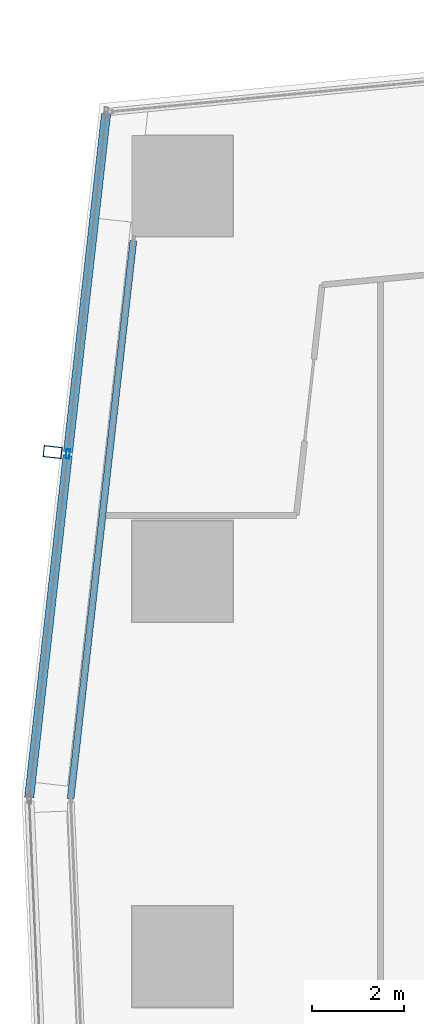
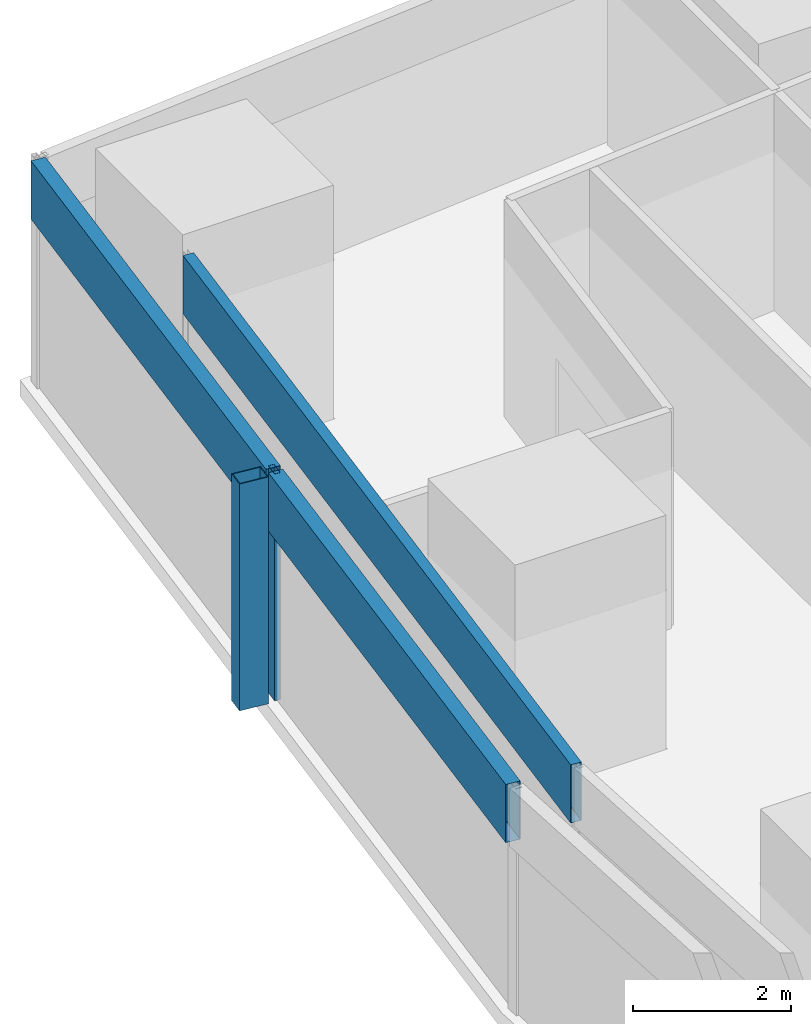
# One storey, part 15 of 45: 5 members, 2 elements without a shape of their own.
"""IFC4 building model written with IfcOpenShell, lengths in metres."""

from ifc_helpers import new_model, si_unit, direction, frame, origin, origin_2d, place, context, subcontext, project, spatial, hollow_rectangle, extrude, material, material_profile, profile_set, type_object, element, aggregate, save


model = new_model("IFC4")

# Units and contexts
model_context = context("Model", 3, precision=1e-05, world=origin(), true_north=direction((0.0, 1.0)))
body_context = subcontext(model_context, "Body", "Model", "MODEL_VIEW")
ifc_project = project(units=[si_unit("LENGTHUNIT", "METRE"), si_unit("AREAUNIT", "SQUARE_METRE"), si_unit("VOLUMEUNIT", "CUBIC_METRE"), si_unit("PLANEANGLEUNIT", "RADIAN"), si_unit("MASSUNIT", "GRAM", prefix="KILO")], contexts=[model_context])

# Site, building, storey
site_placement = place(None, origin())
site = spatial("IfcSite", under=ifc_project, at=site_placement, CompositionType="ELEMENT")
building_placement = place(site_placement, origin())
building = spatial("IfcBuilding", under=site, at=building_placement, Name="Rekha Terrace Tower", CompositionType="ELEMENT")
storey_placement = place(building_placement, frame((0.0, 0.0, 44.14990234375)))
storey = spatial("IfcBuildingStorey", under=building, at=storey_placement, Name="L10", CompositionType="ELEMENT", Elevation=44.14990234375)

# Curtain wall, member
ifc_material_1 = material(Name="Aluminium framing", Category="aluminium")
curtain_wall_type_1 = type_object("IfcCurtainWallType", Name="CW2 double skin outer glazing", PredefinedType="USERDEFINED", material=ifc_material_1)
curtain_wall_1_placement = place(storey_placement, origin())
curtain_wall_1 = element("IfcCurtainWall", 1, at=curtain_wall_1_placement, inside=storey, type_object=curtain_wall_type_1, Name="CW2 double skin outer glazing", ObjectType="DOUBLE SKIN OUTER GLAZING", PredefinedType="USERDEFINED")
ifc_material_2 = material(Name="Steel S355 with fluorocarbon finish", Category="steel")
ifc_material_profile_1 = material_profile(ifc_material_2, hollow_rectangle(XDim=0.25, YDim=0.39990234375, WallThickness=0.012451171875, at=origin_2d()), Name="RHS400x250x12.5")
ifc_profile_set_1 = profile_set([ifc_material_profile_1], Name="Steel S355 with fluorocarbon finish")
member_type_1 = type_object("IfcMemberType", Name="BL1 facade blade RHS 400 x 250", PredefinedType="USERDEFINED", material=ifc_profile_set_1)
member_1_placement = place(storey_placement, frame((5.569580078125, 53.001220703125, 0.0), z_axis=(0.0, 0.0, 1.0), x_axis=(-0.111729096216, -0.993738702607, 0.0)))
member_1 = element("IfcMember", 2, at=member_1_placement, type_object=member_type_1, Name="Facade blade", ObjectType="FACADE BLADE", PredefinedType="USERDEFINED", context=body_context, shape_type="SweptSolid", body=[
    extrude(hollow_rectangle(XDim=0.25, YDim=0.39990234375, WallThickness=0.012451171875, at=origin_2d()), origin(), (0.0, 0.0, 1.0), 3.5),
])

curtain_wall_type_2 = type_object("IfcCurtainWallType", Name="CW1 double skin inner glazing", PredefinedType="USERDEFINED", material=ifc_material_1)
curtain_wall_2_placement = place(storey_placement, origin())
curtain_wall_2 = element("IfcCurtainWall", 3, at=curtain_wall_2_placement, inside=storey, type_object=curtain_wall_type_2, Name="CW1 double skin inner glazing", ObjectType="DOUBLE SKIN INNER GLAZING", PredefinedType="USERDEFINED")
ifc_material_3 = material(Name="Insulated aluminium spandrel box", Category="aluminium")
ifc_material_profile_2 = material_profile(ifc_material_3, hollow_rectangle(XDim=0.14990234375, YDim=0.89990234375, WallThickness=0.0029296875, at=origin_2d()), Name="AL SPANDREL BOX 150x900")
ifc_profile_set_2 = profile_set([ifc_material_profile_2], Name="Insulated aluminium spandrel box")
member_type_2 = type_object("IfcMemberType", Name="CW1 spandrel transom 150 x 900", PredefinedType="USERDEFINED", material=ifc_profile_set_2)
member_2_placement = place(storey_placement, frame((7.33056640625, 57.611083984375, 3.050048828125), z_axis=(-0.111720442276, -0.993739675558, 0.0), x_axis=(0.993739675558, -0.111720442276, 0.0)))
member_2 = element("IfcMember", 4, at=member_2_placement, type_object=member_type_2, Name="CW1 spandrel transom 1", ObjectType="TRANSOM", PredefinedType="USERDEFINED", context=body_context, shape_type="SweptSolid", body=[
    extrude(hollow_rectangle(XDim=0.14990234375, YDim=0.89990234375, WallThickness=0.0029296875, at=origin_2d()), origin(), (0.0, 0.0, 1.0), 12.244140625),
])
aggregate(curtain_wall_2, [member_2])

# Member
ifc_material_4 = material(Name="Aluminium mullion section", Category="aluminium")
ifc_material_profile_3 = material_profile(ifc_material_4, hollow_rectangle(XDim=0.080078125, YDim=0.199951171875, WallThickness=0.00390625, at=origin_2d()), Name="AL RHS 80x200")
ifc_profile_set_3 = profile_set([ifc_material_profile_3], Name="Aluminium mullion section")
member_type_3 = type_object("IfcMemberType", Name="CW2 mullion RHS 80 x 200", PredefinedType="MULLION", material=ifc_profile_set_3)
member_3_placement = place(storey_placement, frame((5.90234375, 52.9638671875, 0.0), z_axis=(0.0, 0.0, 1.0), x_axis=(0.99373861552, -0.111729870782, 0.0)))
member_3 = element("IfcMember", 5, at=member_3_placement, type_object=member_type_3, Name="CW2 mullion 2", PredefinedType="MULLION", context=body_context, shape_type="SweptSolid", body=[
    extrude(hollow_rectangle(XDim=0.080078125, YDim=0.199951171875, WallThickness=0.00390625, at=origin_2d()), origin(), (0.0, 0.0, 1.0), 3.5),
])

ifc_material_profile_4 = material_profile(ifc_material_3, hollow_rectangle(XDim=0.199951171875, YDim=0.89990234375, WallThickness=0.0029296875, at=origin_2d()), Name="AL SPANDREL BOX 200x900")
ifc_profile_set_4 = profile_set([ifc_material_profile_4], Name="Insulated aluminium spandrel box")
member_type_4 = type_object("IfcMemberType", Name="CW2 spandrel transom 200 x 900", PredefinedType="USERDEFINED", material=ifc_profile_set_4)
member_4_placement = place(storey_placement, frame((6.735595703125, 60.37353515625, 3.050048828125), z_axis=(-0.111728537773, -0.993738765394, 0.0), x_axis=(0.993738765394, -0.111728537773, 0.0)))
member_4 = element("IfcMember", 6, at=member_4_placement, type_object=member_type_4, Name="CW2 spandrel transom 1", ObjectType="TRANSOM", PredefinedType="USERDEFINED", context=body_context, shape_type="SweptSolid", body=[
    extrude(hollow_rectangle(XDim=0.199951171875, YDim=0.89990234375, WallThickness=0.0029296875, at=origin_2d()), origin(), (0.0, 0.0, 1.0), 7.416259765625),
])

member_5_placement = place(storey_placement, frame((5.89794921875, 52.924072265625, 3.050048828125), z_axis=(-0.111739697795, -0.993737510582, 0.0), x_axis=(0.993737510582, -0.111739697795, 0.0)))
member_5 = element("IfcMember", 7, at=member_5_placement, type_object=member_type_4, Name="CW2 spandrel transom 2", ObjectType="TRANSOM", PredefinedType="USERDEFINED", context=body_context, shape_type="SweptSolid", body=[
    extrude(hollow_rectangle(XDim=0.199951171875, YDim=0.89990234375, WallThickness=0.0029296875, at=origin_2d()), origin(), (0.0, 0.0, 1.0), 7.496337890625),
])

aggregate(curtain_wall_1, [member_3, member_4, member_5, member_1])

save(model, "model.ifc")
